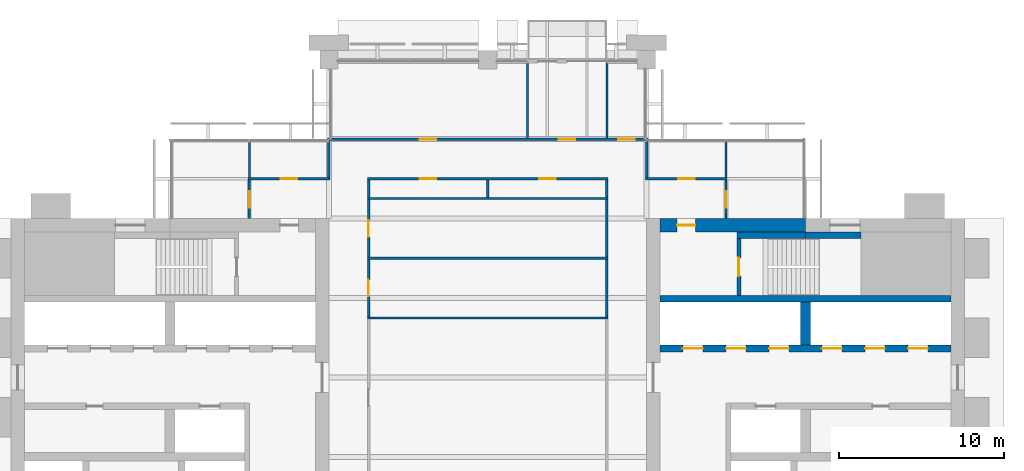
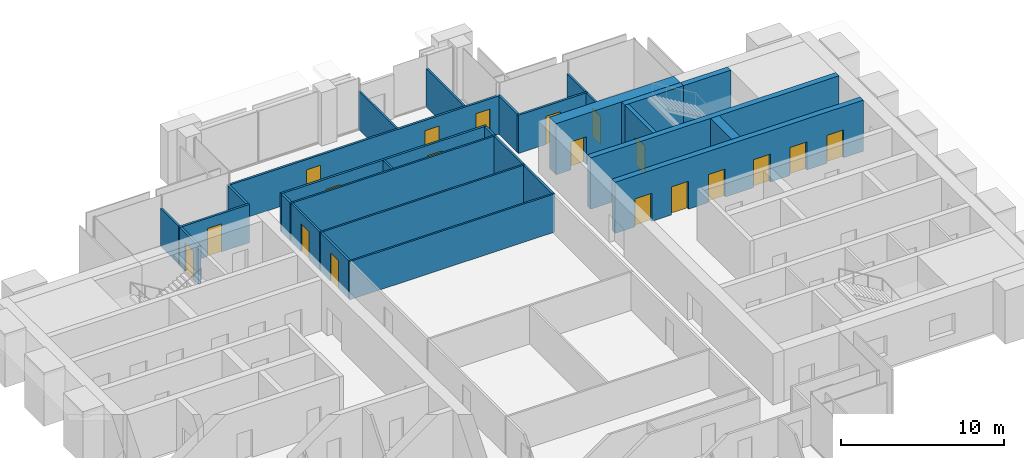
# One storey, part 11 of 14: 29 walls, 19 doors, 19 openings.
"""IFC4 building model written with IfcOpenShell, lengths in metres."""

import ifcopenshell
import ifcopenshell.guid

model = None  # the IFC model being written
_history = None  # IfcOwnerHistory: only IFC2X3 demands one
_inside = {}  # id of a spatial element -> (the spatial element, [elements in it])
_under = {}  # id of a project, library or spatial element -> (it, [spatial elements below it])
_declared = {}  # id of a project -> (the project, [libraries it declares])
_typed = {}  # id of a type object -> (the type object, [elements of that type])
_made_of = {}  # id of a material, layer set ... -> (it, [elements and type objects made of it])


def new_model(schema):
    """Start an empty IFC model of exactly this schema.

    Asked for "IFC4X3", IfcOpenShell would pick the latest addendum, in which some entities
    have other attributes; the version numbers below select the first issue.
    IFC2X3 requires an IfcOwnerHistory on every rooted entity: one is made here for all.
    """
    global model, _history
    if schema == "IFC4X3":
        model = ifcopenshell.file(schema_version=(4, 3, 0, 0))
    else:
        model = ifcopenshell.file(schema=schema)
    _inside.clear()
    _under.clear()
    _declared.clear()
    _typed.clear()
    _made_of.clear()
    _history = None
    if model.schema == "IFC2X3":
        org = make("IfcOrganization", Name="unknown")
        user = make(
            "IfcPersonAndOrganization",
            ThePerson=make("IfcPerson", FamilyName="unknown"),
            TheOrganization=org,
        )
        app = make(
            "IfcApplication",
            ApplicationDeveloper=org,
            Version="unknown",
            ApplicationFullName="unknown",
            ApplicationIdentifier="unknown",
        )
        _history = make(
            "IfcOwnerHistory",
            OwningUser=user,
            OwningApplication=app,
            ChangeAction="ADDED",
            CreationDate=0,
        )
    return model


def make(cls, **values):
    """One entity of the class cls with the attributes given. An attribute that is None is left unset."""
    return model.create_entity(
        cls, **{name: value for name, value in values.items() if value is not None}
    )


def rooted(cls, **values):
    """An entity with a GlobalId (a new one), such as an element, a storey or a relation."""
    return make(cls, GlobalId=ifcopenshell.guid.new(), OwnerHistory=_history, **values)


def si_unit(unit_type, name, prefix=None):
    """IfcSIUnit, for example si_unit("LENGTHUNIT", "METRE", prefix="MILLI")."""
    return make("IfcSIUnit", UnitType=unit_type, Prefix=prefix, Name=name)


def assignment(units):
    """IfcUnitAssignment: the units of a project."""
    return None if units is None else make("IfcUnitAssignment", Units=units)


def point(xyz):
    """IfcCartesianPoint."""
    return None if xyz is None else make("IfcCartesianPoint", Coordinates=xyz)


def direction(xyz):
    """IfcDirection."""
    return None if xyz is None else make("IfcDirection", DirectionRatios=xyz)


def frame(location, z_axis=None, x_axis=None):
    """IfcAxis2Placement3D, a coordinate frame: its origin and axes. An axis left out is left unset."""
    return make(
        "IfcAxis2Placement3D",
        Location=point(location),
        Axis=direction(z_axis),
        RefDirection=direction(x_axis),
    )


def frame_2d(location, x_axis=None):
    """IfcAxis2Placement2D, a coordinate frame in the plane: its origin and x axis."""
    return make(
        "IfcAxis2Placement2D", Location=point(location), RefDirection=direction(x_axis)
    )


def origin():
    """The frame at (0, 0, 0) with its axes left unset."""
    return frame((0.0, 0.0, 0.0))


def place(relative_to, where):
    """IfcLocalPlacement: puts the frame where relative to a parent placement (None: the world)."""
    return make(
        "IfcLocalPlacement", PlacementRelTo=relative_to, RelativePlacement=where
    )


def context(
    kind, dimensions, precision=None, world=None, true_north=None, identifier=None
):
    """IfcGeometricRepresentationContext, for example the 3D "Model" context."""
    return make(
        "IfcGeometricRepresentationContext",
        ContextIdentifier=identifier,
        ContextType=kind,
        CoordinateSpaceDimension=dimensions,
        Precision=precision,
        WorldCoordinateSystem=world,
        TrueNorth=true_north,
    )


def subcontext(parent, identifier, kind, view, scale=None):
    """IfcGeometricRepresentationSubContext, for example "Body" below "Model"."""
    return make(
        "IfcGeometricRepresentationSubContext",
        ContextIdentifier=identifier,
        ContextType=kind,
        ParentContext=parent,
        TargetScale=scale,
        TargetView=view,
    )


def project(units=None, contexts=None):
    """IfcProject with its units and contexts."""
    return rooted(
        "IfcProject",
        Name="project",
        RepresentationContexts=contexts,
        UnitsInContext=assignment(units),
    )


def spatial(cls, under=None, at=None, **own):
    """A site, building, storey or space (cls), placed at a placement, below another one or the project."""
    s = rooted(cls, ObjectPlacement=at, **own)
    if under is not None:
        _under.setdefault(under.id(), (under, []))[1].append(s)
    return s


def profile(cls, at=None, kind="AREA", **sizes):
    """A parametric profile (cls). Its sizes go by their IFC names, for example OverallWidth=200.0."""
    return make(cls, ProfileType=kind, Position=at, **sizes)


def rectangle(**sizes):
    """IfcRectangleProfileDef."""
    return profile("IfcRectangleProfileDef", **sizes)


def extrude(swept, where, along, depth):
    """IfcExtrudedAreaSolid: the profile swept, set in the frame where, extruded along a direction by depth."""
    return make(
        "IfcExtrudedAreaSolid",
        SweptArea=swept,
        Position=where,
        ExtrudedDirection=direction(along),
        Depth=depth,
    )


def shape(context_of_items, identifier, shape_type, items):
    """IfcShapeRepresentation: the items that make up one representation, for example the "Body"."""
    return make(
        "IfcShapeRepresentation",
        ContextOfItems=context_of_items,
        RepresentationIdentifier=identifier,
        RepresentationType=shape_type,
        Items=items,
    )


def material(Name=None, Category=None):
    """IfcMaterial."""
    return make("IfcMaterial", Name=Name, Category=Category)


def layer(
    of_material, thickness, ventilated=None, Name=None, Category=None, Priority=None
):
    """IfcMaterialLayer: one layer of a wall or slab, of a material (None: an air gap)."""
    return make(
        "IfcMaterialLayer",
        Material=of_material,
        LayerThickness=thickness,
        IsVentilated=ventilated,
        Name=Name,
        Category=Category,
        Priority=Priority,
    )


def layer_set(layers, Name=None):
    """IfcMaterialLayerSet."""
    return make("IfcMaterialLayerSet", MaterialLayers=layers, LayerSetName=Name)


def made_of(thing, what):
    """Note that an element or type object is made of a material, layer set ...; save() writes the relation."""
    if what is not None:
        _made_of.setdefault(what.id(), (what, []))[1].append(thing)
    return thing


def type_object(cls, material=None, **own):
    """A type object (cls), such as IfcWallType, which elements share."""
    return made_of(rooted(cls, **own), material)


def element(
    cls,
    number,
    at=None,
    inside=None,
    cuts=None,
    type_object=None,
    material=None,
    context=None,
    identifier="Body",
    shape_type=None,
    held_by="IfcProductDefinitionShape",
    body=None,
    shapes=None,
    **own,
):
    """One element of the class cls, such as IfcWall. Its Tag is "e" and its number.

    at: its placement. inside: the storey or other place that contains it. cuts: it is an
    opening in that element (IfcRelVoidsElement). A single representation is given by context,
    identifier, shape_type and body (its items); several are given by shapes. held_by: the class
    of the entity that holds the representations. save() writes the other relations.
    """
    e = rooted(cls, Tag="e%d" % number, ObjectPlacement=at, **own)
    if body is not None:
        shapes = [shape(context, identifier, shape_type, body)]
    if shapes is not None:
        e.Representation = make(held_by, Representations=shapes)
    if inside is not None:
        _inside.setdefault(inside.id(), (inside, []))[1].append(e)
    if cuts is not None:
        rooted(
            "IfcRelVoidsElement", RelatingBuildingElement=cuts, RelatedOpeningElement=e
        )
    if type_object is not None:
        _typed.setdefault(type_object.id(), (type_object, []))[1].append(e)
    return made_of(e, material)


def fill(opening, filler):
    """IfcRelFillsElement: the door or window that sits in an opening."""
    return rooted(
        "IfcRelFillsElement",
        RelatingOpeningElement=opening,
        RelatedBuildingElement=filler,
    )


def aggregate(whole, parts):
    """IfcRelAggregates: a whole, such as a stair, and the parts it consists of."""
    return rooted("IfcRelAggregates", RelatingObject=whole, RelatedObjects=parts)


def save(model, path):
    """Write the relations noted so far, then the file.

    IfcRelAggregates (storeys below a building ...), IfcRelContainedInSpatialStructure (elements
    in a storey), IfcRelDefinesByType, IfcRelAssociatesMaterial and IfcRelDeclares: one each for
    every whole, place, type object, material and project.
    """
    for whole, parts in _under.values():
        aggregate(whole, parts)
    for where, things in _inside.values():
        rooted(
            "IfcRelContainedInSpatialStructure",
            RelatedElements=things,
            RelatingStructure=where,
        )
    for kind, things in _typed.values():
        rooted("IfcRelDefinesByType", RelatedObjects=things, RelatingType=kind)
    for what, things in _made_of.values():
        rooted("IfcRelAssociatesMaterial", RelatedObjects=things, RelatingMaterial=what)
    for by, libraries in _declared.values():
        rooted("IfcRelDeclares", RelatingContext=by, RelatedDefinitions=libraries)
    model.write(path)


model = new_model("IFC4")

# Units and contexts
model_context = context("Model", 3, precision=1e-05, world=origin(), true_north=direction((0.0, 1.0)))
body_context = subcontext(model_context, "Body", "Model", "MODEL_VIEW")
ifc_project = project(units=[si_unit("LENGTHUNIT", "METRE"), si_unit("AREAUNIT", "SQUARE_METRE"), si_unit("VOLUMEUNIT", "CUBIC_METRE"), si_unit("PLANEANGLEUNIT", "RADIAN"), si_unit("MASSUNIT", "GRAM", prefix="KILO")], contexts=[model_context])

# Site, building, storey
site_placement = place(None, origin())
site = spatial("IfcSite", under=ifc_project, at=site_placement, CompositionType="ELEMENT")
building_placement = place(site_placement, origin())
building = spatial("IfcBuilding", under=site, at=building_placement, Name="Baori Bourse Tower", CompositionType="ELEMENT")
storey_placement = place(building_placement, frame((0.0, 0.0, 245.199951171875)))
storey = spatial("IfcBuildingStorey", under=building, at=storey_placement, Name="L54", CompositionType="ELEMENT", Elevation=245.199951171875)

# Wall, opening, door
ifc_material_1 = material(Name="Concrete f'c 50 MPa", Category="concrete")
ifc_layer_1 = layer(ifc_material_1, 0.800048828125)
ifc_layer_set_1 = layer_set([ifc_layer_1], Name="Core wall 800 f'c 50")
wall_type_1 = type_object("IfcWallType", Name="Core wall 800 f'c 50", PredefinedType="SHEAR", material=ifc_layer_set_1)
wall_1_placement = place(storey_placement, frame((39.199951171875, 38.0, 0.0), z_axis=(0.0, 0.0, 1.0), x_axis=(1.0, 0.0, 0.0)))
wall_1 = element("IfcWall", 1, at=wall_1_placement, inside=storey, type_object=wall_type_1, Name="Core wall E29", PredefinedType="SHEAR", context=body_context, shape_type="SweptSolid", body=[
    extrude(rectangle(XDim=8.800048828125, YDim=0.800048828125, at=frame_2d((4.39990234375, 0.0))), origin(), (0.0, 0.0, 1.0), 3.840087890625),
])
opening_1_placement = place(wall_1_placement, frame((1.050048828125, 0.0, 0.0)))
opening_1 = element("IfcOpeningElement", 2, at=opening_1_placement, cuts=wall_1, Name="Opening L54-D204", PredefinedType="OPENING", context=body_context, shape_type="SweptSolid", body=[
    extrude(rectangle(XDim=1.10009765625, YDim=2.10009765625, at=frame_2d((0.550048828125, 1.050048828125))), frame((0.0, 0.409912109375, 0.0), z_axis=(0.0, -1.0, 0.0), x_axis=(1.0, 0.0, 0.0)), (0.0, 0.0, 1.0), 0.820068359375),
])
ifc_material_2 = material(Name="Painted steel door", Category="steel")
door_type_1 = type_object("IfcDoorType", Name="Stair door 1100", OperationType="SINGLE_SWING_LEFT", PredefinedType="DOOR", material=ifc_material_2)
door_1_placement = place(opening_1_placement, origin())
door_1 = element("IfcDoor", 3, at=door_1_placement, inside=storey, type_object=door_type_1, Name="Stair vestibule door B E L54", OperationType="SINGLE_SWING_LEFT", OverallHeight=2.10009765625, OverallWidth=1.10009765625, PredefinedType="DOOR", context=body_context, shape_type="SweptSolid", body=[
    extrude(rectangle(XDim=1.10009765625, YDim=2.10009765625, at=frame_2d((0.550048828125, 1.050048828125))), frame((0.0, 0.02490234375, 0.0), z_axis=(0.0, -1.0, 0.0), x_axis=(1.0, 0.0, 0.0)), (0.0, 0.0, 1.0), 0.050048828125),
])
fill(opening_1, door_1)

ifc_material_3 = material(Name="Gypsum board partition")
ifc_layer_2 = layer(ifc_material_3, 0.14990234375)
ifc_layer_set_2 = layer_set([ifc_layer_2], Name="Corridor partition 150")
wall_type_2 = type_object("IfcWallType", Name="Corridor partition 150", PredefinedType="PARTITIONING", material=ifc_layer_set_2)
wall_2_placement = place(storey_placement, frame((14.324951171875, 40.800048828125, 0.0), z_axis=(0.0, 0.0, 1.0), x_axis=(1.0, 0.0, 0.0)))
wall_2 = element("IfcWall", 4, at=wall_2_placement, inside=storey, type_object=wall_type_2, Name="Partition", PredefinedType="PARTITIONING", context=body_context, shape_type="SweptSolid", body=[
    extrude(rectangle(XDim=4.949951171875, YDim=0.14990234375, at=frame_2d((2.47509765625, 0.0))), origin(), (0.0, 0.0, 1.0), 2.869873046875),
])
opening_2_placement = place(wall_2_placement, frame((1.97509765625, 0.0, 0.0)))
opening_2 = element("IfcOpeningElement", 5, at=opening_2_placement, cuts=wall_2, Name="Opening L54-D09", PredefinedType="OPENING", context=body_context, shape_type="SweptSolid", body=[
    extrude(rectangle(XDim=1.0, YDim=2.10009765625, at=frame_2d((0.5, 1.050048828125))), frame((0.0, 0.0849609375, 0.0), z_axis=(0.0, -1.0, 0.0), x_axis=(1.0, 0.0, 0.0)), (0.0, 0.0, 1.0), 0.169921875),
])
ifc_material_4 = material(Name="Timber door leaf", Category="wood")
door_type_2 = type_object("IfcDoorType", Name="Door 1000 x 2100", OperationType="SINGLE_SWING_LEFT", PredefinedType="DOOR", material=ifc_material_4)
door_2_placement = place(opening_2_placement, origin())
door_2 = element("IfcDoor", 6, at=door_2_placement, inside=storey, type_object=door_type_2, Name="Door", OperationType="SINGLE_SWING_LEFT", OverallHeight=2.10009765625, OverallWidth=1.0, PredefinedType="DOOR", context=body_context, shape_type="SweptSolid", body=[
    extrude(rectangle(XDim=1.0, YDim=2.10009765625, at=frame_2d((0.5, 1.050048828125))), frame((0.0, 0.02490234375, 0.0), z_axis=(0.0, -1.0, 0.0), x_axis=(1.0, 0.0, 0.0)), (0.0, 0.0, 1.0), 0.050048828125),
])
fill(opening_2, door_2)

# Wall, openings, doors
wall_3_placement = place(storey_placement, frame((21.52490234375, 40.800048828125, 0.0), z_axis=(0.0, 0.0, 1.0), x_axis=(1.0, 0.0, 0.0)))
wall_3 = element("IfcWall", 7, at=wall_3_placement, inside=storey, type_object=wall_type_2, Name="Partition", PredefinedType="PARTITIONING", context=body_context, shape_type="SweptSolid", body=[
    extrude(rectangle(XDim=14.550048828125, YDim=0.14990234375, at=frame_2d((7.27490234375, 0.0))), origin(), (0.0, 0.0, 1.0), 2.869873046875),
])
opening_3_placement = place(wall_3_placement, frame((3.175048828125, 0.0, 0.0)))
opening_3 = element("IfcOpeningElement", 8, at=opening_3_placement, cuts=wall_3, Name="Opening L54-D10", PredefinedType="OPENING", context=body_context, shape_type="SweptSolid", body=[
    extrude(rectangle(XDim=1.0, YDim=2.10009765625, at=frame_2d((0.5, 1.050048828125))), frame((0.0, 0.0849609375, 0.0), z_axis=(0.0, -1.0, 0.0), x_axis=(1.0, 0.0, 0.0)), (0.0, 0.0, 1.0), 0.169921875),
])
opening_4_placement = place(wall_3_placement, frame((10.375, 0.0, 0.0)))
opening_4 = element("IfcOpeningElement", 9, at=opening_4_placement, cuts=wall_3, Name="Opening L54-D11", PredefinedType="OPENING", context=body_context, shape_type="SweptSolid", body=[
    extrude(rectangle(XDim=1.0, YDim=2.10009765625, at=frame_2d((0.5, 1.050048828125))), frame((0.0, 0.0849609375, 0.0), z_axis=(0.0, -1.0, 0.0), x_axis=(1.0, 0.0, 0.0)), (0.0, 0.0, 1.0), 0.169921875),
])
door_3_placement = place(opening_3_placement, origin())
door_3 = element("IfcDoor", 10, at=door_3_placement, inside=storey, type_object=door_type_2, Name="Door", OperationType="SINGLE_SWING_LEFT", OverallHeight=2.10009765625, OverallWidth=1.0, PredefinedType="DOOR", context=body_context, shape_type="SweptSolid", body=[
    extrude(rectangle(XDim=1.0, YDim=2.10009765625, at=frame_2d((0.5, 1.050048828125))), frame((0.0, 0.02490234375, 0.0), z_axis=(0.0, -1.0, 0.0), x_axis=(1.0, 0.0, 0.0)), (0.0, 0.0, 1.0), 0.050048828125),
])
fill(opening_3, door_3)
door_4_placement = place(opening_4_placement, origin())
door_4 = element("IfcDoor", 11, at=door_4_placement, inside=storey, type_object=door_type_2, Name="Door", OperationType="SINGLE_SWING_RIGHT", OverallHeight=2.10009765625, OverallWidth=1.0, PredefinedType="DOOR", context=body_context, shape_type="SweptSolid", body=[
    extrude(rectangle(XDim=1.0, YDim=2.10009765625, at=frame_2d((0.5, 1.050048828125))), frame((0.0, 0.02490234375, 0.0), z_axis=(0.0, -1.0, 0.0), x_axis=(1.0, 0.0, 0.0)), (0.0, 0.0, 1.0), 0.050048828125),
])
fill(opening_4, door_4)

# Wall, opening, door
wall_4_placement = place(storey_placement, frame((38.324951171875, 40.800048828125, 0.0), z_axis=(0.0, 0.0, 1.0), x_axis=(1.0, 0.0, 0.0)))
wall_4 = element("IfcWall", 12, at=wall_4_placement, inside=storey, type_object=wall_type_2, Name="Partition", PredefinedType="PARTITIONING", context=body_context, shape_type="SweptSolid", body=[
    extrude(rectangle(XDim=4.949951171875, YDim=0.14990234375, at=frame_2d((2.47509765625, 0.0))), origin(), (0.0, 0.0, 1.0), 2.869873046875),
])
opening_5_placement = place(wall_4_placement, frame((1.97509765625, 0.0, 0.0)))
opening_5 = element("IfcOpeningElement", 13, at=opening_5_placement, cuts=wall_4, Name="Opening L54-D12", PredefinedType="OPENING", context=body_context, shape_type="SweptSolid", body=[
    extrude(rectangle(XDim=1.0, YDim=2.10009765625, at=frame_2d((0.5, 1.050048828125))), frame((0.0, 0.0849609375, 0.0), z_axis=(0.0, -1.0, 0.0), x_axis=(1.0, 0.0, 0.0)), (0.0, 0.0, 1.0), 0.169921875),
])
door_5_placement = place(opening_5_placement, origin())
door_5 = element("IfcDoor", 14, at=door_5_placement, inside=storey, type_object=door_type_2, Name="Door", OperationType="SINGLE_SWING_RIGHT", OverallHeight=2.10009765625, OverallWidth=1.0, PredefinedType="DOOR", context=body_context, shape_type="SweptSolid", body=[
    extrude(rectangle(XDim=1.0, YDim=2.10009765625, at=frame_2d((0.5, 1.050048828125))), frame((0.0, 0.02490234375, 0.0), z_axis=(0.0, -1.0, 0.0), x_axis=(1.0, 0.0, 0.0)), (0.0, 0.0, 1.0), 0.050048828125),
])
fill(opening_5, door_5)

# Wall, openings, doors
wall_5_placement = place(storey_placement, frame((19.125, 43.199951171875, 0.0), z_axis=(0.0, 0.0, 1.0), x_axis=(1.0, 0.0, 0.0)))
wall_5 = element("IfcWall", 15, at=wall_5_placement, inside=storey, type_object=wall_type_2, Name="Partition", PredefinedType="PARTITIONING", context=body_context, shape_type="SweptSolid", body=[
    extrude(rectangle(XDim=19.35009765625, YDim=0.14990234375, at=frame_2d((9.675048828125, 0.0))), origin(), (0.0, 0.0, 1.0), 2.869873046875),
])
opening_6_placement = place(wall_5_placement, frame((5.574951171875, 0.0, 0.0)))
opening_6 = element("IfcOpeningElement", 16, at=opening_6_placement, cuts=wall_5, Name="Opening L54-D13", PredefinedType="OPENING", context=body_context, shape_type="SweptSolid", body=[
    extrude(rectangle(XDim=1.0, YDim=2.10009765625, at=frame_2d((0.5, 1.050048828125))), frame((0.0, 0.0849609375, 0.0), z_axis=(0.0, -1.0, 0.0), x_axis=(1.0, 0.0, 0.0)), (0.0, 0.0, 1.0), 0.169921875),
])
opening_7_placement = place(wall_5_placement, frame((13.97509765625, 0.0, 0.0)))
opening_7 = element("IfcOpeningElement", 17, at=opening_7_placement, cuts=wall_5, Name="Opening L54-D14", PredefinedType="OPENING", context=body_context, shape_type="SweptSolid", body=[
    extrude(rectangle(XDim=1.0, YDim=2.10009765625, at=frame_2d((0.5, 1.050048828125))), frame((0.0, 0.0849609375, 0.0), z_axis=(0.0, -1.0, 0.0), x_axis=(1.0, 0.0, 0.0)), (0.0, 0.0, 1.0), 0.169921875),
])
opening_8_placement = place(wall_5_placement, frame((17.574951171875, 0.0, 0.0)))
opening_8 = element("IfcOpeningElement", 18, at=opening_8_placement, cuts=wall_5, Name="Opening L54-D15", PredefinedType="OPENING", context=body_context, shape_type="SweptSolid", body=[
    extrude(rectangle(XDim=1.0, YDim=2.10009765625, at=frame_2d((0.5, 1.050048828125))), frame((0.0, 0.0849609375, 0.0), z_axis=(0.0, -1.0, 0.0), x_axis=(1.0, 0.0, 0.0)), (0.0, 0.0, 1.0), 0.169921875),
])
door_6_placement = place(opening_6_placement, origin())
door_6 = element("IfcDoor", 19, at=door_6_placement, inside=storey, type_object=door_type_2, Name="Door", OperationType="SINGLE_SWING_RIGHT", OverallHeight=2.10009765625, OverallWidth=1.0, PredefinedType="DOOR", context=body_context, shape_type="SweptSolid", body=[
    extrude(rectangle(XDim=1.0, YDim=2.10009765625, at=frame_2d((0.5, 1.050048828125))), frame((0.0, 0.02490234375, 0.0), z_axis=(0.0, -1.0, 0.0), x_axis=(1.0, 0.0, 0.0)), (0.0, 0.0, 1.0), 0.050048828125),
])
fill(opening_6, door_6)
door_7_placement = place(opening_7_placement, origin())
door_7 = element("IfcDoor", 20, at=door_7_placement, inside=storey, type_object=door_type_2, Name="Door", OperationType="SINGLE_SWING_LEFT", OverallHeight=2.10009765625, OverallWidth=1.0, PredefinedType="DOOR", context=body_context, shape_type="SweptSolid", body=[
    extrude(rectangle(XDim=1.0, YDim=2.10009765625, at=frame_2d((0.5, 1.050048828125))), frame((0.0, 0.02490234375, 0.0), z_axis=(0.0, -1.0, 0.0), x_axis=(1.0, 0.0, 0.0)), (0.0, 0.0, 1.0), 0.050048828125),
])
fill(opening_7, door_7)
door_8_placement = place(opening_8_placement, origin())
door_8 = element("IfcDoor", 21, at=door_8_placement, inside=storey, type_object=door_type_2, Name="Door", OperationType="SINGLE_SWING_LEFT", OverallHeight=2.10009765625, OverallWidth=1.0, PredefinedType="DOOR", context=body_context, shape_type="SweptSolid", body=[
    extrude(rectangle(XDim=1.0, YDim=2.10009765625, at=frame_2d((0.5, 1.050048828125))), frame((0.0, 0.02490234375, 0.0), z_axis=(0.0, -1.0, 0.0), x_axis=(1.0, 0.0, 0.0)), (0.0, 0.0, 1.0), 0.050048828125),
])
fill(opening_8, door_8)

# Wall, opening, door
wall_6_placement = place(storey_placement, frame((14.39990234375, 38.39990234375, 0.0), z_axis=(0.0, 0.0, 1.0), x_axis=(0.0, 1.0, 0.0)))
wall_6 = element("IfcWall", 22, at=wall_6_placement, inside=storey, type_object=wall_type_2, Name="Partition", PredefinedType="PARTITIONING", context=body_context, shape_type="SweptSolid", body=[
    extrude(rectangle(XDim=2.3251953125, YDim=0.14990234375, at=frame_2d((1.16259765625, 0.0))), origin(), (0.0, 0.0, 1.0), 2.869873046875),
])
opening_9_placement = place(wall_6_placement, frame((0.66259765625, 0.0, 0.0)))
opening_9 = element("IfcOpeningElement", 23, at=opening_9_placement, cuts=wall_6, Name="Opening L54-D16", PredefinedType="OPENING", context=body_context, shape_type="SweptSolid", body=[
    extrude(rectangle(XDim=1.0, YDim=2.10009765625, at=frame_2d((0.5, 1.050048828125))), frame((0.0, 0.0849609375, 0.0), z_axis=(0.0, -1.0, 0.0), x_axis=(1.0, 0.0, 0.0)), (0.0, 0.0, 1.0), 0.169921875),
])
door_9_placement = place(opening_9_placement, origin())
door_9 = element("IfcDoor", 24, at=door_9_placement, inside=storey, type_object=door_type_2, Name="Door", OperationType="SINGLE_SWING_RIGHT", OverallHeight=2.10009765625, OverallWidth=1.0, PredefinedType="DOOR", context=body_context, shape_type="SweptSolid", body=[
    extrude(rectangle(XDim=1.0, YDim=2.10009765625, at=frame_2d((0.5, 1.050048828125))), frame((0.0, 0.02490234375, 0.0), z_axis=(0.0, -1.0, 0.0), x_axis=(1.0, 0.0, 0.0)), (0.0, 0.0, 1.0), 0.050048828125),
])
fill(opening_9, door_9)

# Wall
wall_7_placement = place(storey_placement, frame((19.199951171875, 40.875, 0.0), z_axis=(0.0, 0.0, 1.0), x_axis=(0.0, 1.0, 0.0)))
element("IfcWall", 25, at=wall_7_placement, inside=storey, type_object=wall_type_2, Name="Partition", PredefinedType="PARTITIONING", context=body_context, shape_type="SweptSolid", body=[
    extrude(rectangle(XDim=2.25, YDim=0.14990234375, at=frame_2d((1.125, 0.0))), origin(), (0.0, 0.0, 1.0), 2.869873046875),
])

# Wall, opening, door
wall_8_placement = place(storey_placement, frame((21.60009765625, 32.46240234375, 0.0), z_axis=(0.0, 0.0, 1.0), x_axis=(0.0, 1.0, 0.0)))
wall_8 = element("IfcWall", 26, at=wall_8_placement, inside=storey, type_object=wall_type_2, Name="Partition", PredefinedType="PARTITIONING", context=body_context, shape_type="SweptSolid", body=[
    extrude(rectangle(XDim=3.47509765625, YDim=0.14990234375, at=frame_2d((1.737548828125, 0.0))), origin(), (0.0, 0.0, 1.0), 2.869873046875),
])
opening_10_placement = place(wall_8_placement, frame((1.237548828125, 0.0, 0.0)))
opening_10 = element("IfcOpeningElement", 27, at=opening_10_placement, cuts=wall_8, Name="Opening L54-D20", PredefinedType="OPENING", context=body_context, shape_type="SweptSolid", body=[
    extrude(rectangle(XDim=1.0, YDim=2.10009765625, at=frame_2d((0.5, 1.050048828125))), frame((0.0, 0.0849609375, 0.0), z_axis=(0.0, -1.0, 0.0), x_axis=(1.0, 0.0, 0.0)), (0.0, 0.0, 1.0), 0.169921875),
])
door_10_placement = place(opening_10_placement, origin())
door_10 = element("IfcDoor", 28, at=door_10_placement, inside=storey, type_object=door_type_2, Name="Door", OperationType="SINGLE_SWING_RIGHT", OverallHeight=2.10009765625, OverallWidth=1.0, PredefinedType="DOOR", context=body_context, shape_type="SweptSolid", body=[
    extrude(rectangle(XDim=1.0, YDim=2.10009765625, at=frame_2d((0.5, 1.050048828125))), frame((0.0, 0.02490234375, 0.0), z_axis=(0.0, -1.0, 0.0), x_axis=(1.0, 0.0, 0.0)), (0.0, 0.0, 1.0), 0.050048828125),
])
fill(opening_10, door_10)

wall_9_placement = place(storey_placement, frame((21.60009765625, 36.0625, 0.0), z_axis=(0.0, 0.0, 1.0), x_axis=(0.0, 1.0, 0.0)))
wall_9 = element("IfcWall", 29, at=wall_9_placement, inside=storey, type_object=wall_type_2, Name="Partition", PredefinedType="PARTITIONING", context=body_context, shape_type="SweptSolid", body=[
    extrude(rectangle(XDim=3.47509765625, YDim=0.14990234375, at=frame_2d((1.737548828125, 0.0))), origin(), (0.0, 0.0, 1.0), 2.869873046875),
])
opening_11_placement = place(wall_9_placement, frame((1.237548828125, 0.0, 0.0)))
opening_11 = element("IfcOpeningElement", 30, at=opening_11_placement, cuts=wall_9, Name="Opening L54-D21", PredefinedType="OPENING", context=body_context, shape_type="SweptSolid", body=[
    extrude(rectangle(XDim=1.0, YDim=2.10009765625, at=frame_2d((0.5, 1.050048828125))), frame((0.0, 0.0849609375, 0.0), z_axis=(0.0, -1.0, 0.0), x_axis=(1.0, 0.0, 0.0)), (0.0, 0.0, 1.0), 0.169921875),
])
door_11_placement = place(opening_11_placement, origin())
door_11 = element("IfcDoor", 31, at=door_11_placement, inside=storey, type_object=door_type_2, Name="Door", OperationType="SINGLE_SWING_LEFT", OverallHeight=2.10009765625, OverallWidth=1.0, PredefinedType="DOOR", context=body_context, shape_type="SweptSolid", body=[
    extrude(rectangle(XDim=1.0, YDim=2.10009765625, at=frame_2d((0.5, 1.050048828125))), frame((0.0, 0.02490234375, 0.0), z_axis=(0.0, -1.0, 0.0), x_axis=(1.0, 0.0, 0.0)), (0.0, 0.0, 1.0), 0.050048828125),
])
fill(opening_11, door_11)

# Walls
wall_10_placement = place(storey_placement, frame((21.60009765625, 39.66259765625, 0.0), z_axis=(0.0, 0.0, 1.0), x_axis=(0.0, 1.0, 0.0)))
element("IfcWall", 32, at=wall_10_placement, inside=storey, type_object=wall_type_2, Name="Partition", PredefinedType="PARTITIONING", context=body_context, shape_type="SweptSolid", body=[
    extrude(rectangle(XDim=1.0625, YDim=0.14990234375, at=frame_2d((0.53125, 0.0))), origin(), (0.0, 0.0, 1.0), 2.869873046875),
])
for number, where, z_axis, x_axis, name in (
    (33, (36.0, 32.46240234375, 0.0), (0.0, 0.0, 1.0), (0.0, 1.0, 0.0), "Partition"),
    (34, (36.0, 36.0625, 0.0), (0.0, 0.0, 1.0), (0.0, 1.0, 0.0), "Partition"),
):
    element("IfcWall", number, at=place(storey_placement, frame(where, z_axis=z_axis, x_axis=x_axis)), inside=storey, type_object=wall_type_2, Name=name, PredefinedType="PARTITIONING", context=body_context, shape_type="SweptSolid", body=[
        extrude(rectangle(XDim=3.47509765625, YDim=0.14990234375, at=frame_2d((1.737548828125, 0.0))), origin(), (0.0, 0.0, 1.0), 2.869873046875),
    ])
wall_11_placement = place(storey_placement, frame((36.0, 39.66259765625, 0.0), z_axis=(0.0, 0.0, 1.0), x_axis=(0.0, 1.0, 0.0)))
element("IfcWall", 35, at=wall_11_placement, inside=storey, type_object=wall_type_2, Name="Partition", PredefinedType="PARTITIONING", context=body_context, shape_type="SweptSolid", body=[
    extrude(rectangle(XDim=1.0625, YDim=0.14990234375, at=frame_2d((0.53125, 0.0))), origin(), (0.0, 0.0, 1.0), 2.869873046875),
])
wall_12_placement = place(storey_placement, frame((38.39990234375, 40.875, 0.0), z_axis=(0.0, 0.0, 1.0), x_axis=(0.0, 1.0, 0.0)))
element("IfcWall", 36, at=wall_12_placement, inside=storey, type_object=wall_type_2, Name="Partition", PredefinedType="PARTITIONING", context=body_context, shape_type="SweptSolid", body=[
    extrude(rectangle(XDim=2.25, YDim=0.14990234375, at=frame_2d((1.125, 0.0))), origin(), (0.0, 0.0, 1.0), 2.869873046875),
])

# Wall, opening, door
wall_13_placement = place(storey_placement, frame((43.199951171875, 38.39990234375, 0.0), z_axis=(0.0, 0.0, 1.0), x_axis=(0.0, 1.0, 0.0)))
wall_13 = element("IfcWall", 37, at=wall_13_placement, inside=storey, type_object=wall_type_2, Name="Partition", PredefinedType="PARTITIONING", context=body_context, shape_type="SweptSolid", body=[
    extrude(rectangle(XDim=2.3251953125, YDim=0.14990234375, at=frame_2d((1.16259765625, 0.0))), origin(), (0.0, 0.0, 1.0), 2.869873046875),
])
opening_12_placement = place(wall_13_placement, frame((0.66259765625, 0.0, 0.0)))
opening_12 = element("IfcOpeningElement", 38, at=opening_12_placement, cuts=wall_13, Name="Opening L54-D23", PredefinedType="OPENING", context=body_context, shape_type="SweptSolid", body=[
    extrude(rectangle(XDim=1.0, YDim=2.10009765625, at=frame_2d((0.5, 1.050048828125))), frame((0.0, 0.0849609375, 0.0), z_axis=(0.0, -1.0, 0.0), x_axis=(1.0, 0.0, 0.0)), (0.0, 0.0, 1.0), 0.169921875),
])
door_12_placement = place(opening_12_placement, origin())
door_12 = element("IfcDoor", 39, at=door_12_placement, inside=storey, type_object=door_type_2, Name="Door", OperationType="SINGLE_SWING_LEFT", OverallHeight=2.10009765625, OverallWidth=1.0, PredefinedType="DOOR", context=body_context, shape_type="SweptSolid", body=[
    extrude(rectangle(XDim=1.0, YDim=2.10009765625, at=frame_2d((0.5, 1.050048828125))), frame((0.0, 0.02490234375, 0.0), z_axis=(0.0, -1.0, 0.0), x_axis=(1.0, 0.0, 0.0)), (0.0, 0.0, 1.0), 0.050048828125),
])
fill(opening_12, door_12)

# Walls
ifc_material_5 = material(Name="Gypsum board partition")
ifc_layer_3 = layer(ifc_material_5, 0.125)
ifc_layer_set_3 = layer_set([ifc_layer_3], Name="Partition 125")
wall_type_3 = type_object("IfcWallType", Name="Partition 125", PredefinedType="PARTITIONING", material=ifc_layer_set_3)
for number, where, z_axis, x_axis, name in (
    (40, (21.52490234375, 32.39990234375, 0.0), (0.0, 0.0, 1.0), (1.0, 0.0, 0.0), "Partition"),
    (41, (21.52490234375, 36.0, 0.0), (0.0, 0.0, 1.0), (1.0, 0.0, 0.0), "Partition"),
    (42, (21.52490234375, 39.60009765625, 0.0), (0.0, 0.0, 1.0), (1.0, 0.0, 0.0), "Partition"),
):
    element("IfcWall", number, at=place(storey_placement, frame(where, z_axis=z_axis, x_axis=x_axis)), inside=storey, type_object=wall_type_3, Name=name, PredefinedType="PARTITIONING", context=body_context, shape_type="SweptSolid", body=[
        extrude(rectangle(XDim=14.550048828125, YDim=0.125, at=frame_2d((7.27490234375, 0.0))), origin(), (0.0, 0.0, 1.0), 2.869873046875),
    ])
wall_14_placement = place(storey_placement, frame((14.39990234375, 40.875, 0.0), z_axis=(0.0, 0.0, 1.0), x_axis=(0.0, 1.0, 0.0)))
element("IfcWall", 43, at=wall_14_placement, inside=storey, type_object=wall_type_3, Name="Partition", PredefinedType="PARTITIONING", context=body_context, shape_type="SweptSolid", body=[
    extrude(rectangle(XDim=2.22509765625, YDim=0.125, at=frame_2d((1.112548828125, 0.0))), origin(), (0.0, 0.0, 1.0), 2.869873046875),
])
wall_15_placement = place(storey_placement, frame((28.800048828125, 39.66259765625, 0.0), z_axis=(0.0, 0.0, 1.0), x_axis=(0.0, 1.0, 0.0)))
element("IfcWall", 44, at=wall_15_placement, inside=storey, type_object=wall_type_3, Name="Partition", PredefinedType="PARTITIONING", context=body_context, shape_type="SweptSolid", body=[
    extrude(rectangle(XDim=1.0625, YDim=0.125, at=frame_2d((0.53125, 0.0))), origin(), (0.0, 0.0, 1.0), 2.869873046875),
])
for number, where, z_axis, x_axis, name in (
    (45, (31.199951171875, 43.27490234375, 0.0), (0.0, 0.0, 1.0), (0.0, 1.0, 0.0), "Partition"),
    (46, (36.0, 43.27490234375, 0.0), (0.0, 0.0, 1.0), (0.0, 1.0, 0.0), "Partition"),
):
    element("IfcWall", number, at=place(storey_placement, frame(where, z_axis=z_axis, x_axis=x_axis)), inside=storey, type_object=wall_type_3, Name=name, PredefinedType="PARTITIONING", context=body_context, shape_type="SweptSolid", body=[
        extrude(rectangle(XDim=4.625, YDim=0.125, at=frame_2d((2.3125, 0.0))), origin(), (0.0, 0.0, 1.0), 2.869873046875),
    ])
wall_16_placement = place(storey_placement, frame((43.199951171875, 40.875, 0.0), z_axis=(0.0, 0.0, 1.0), x_axis=(0.0, 1.0, 0.0)))
element("IfcWall", 47, at=wall_16_placement, inside=storey, type_object=wall_type_3, Name="Partition", PredefinedType="PARTITIONING", context=body_context, shape_type="SweptSolid", body=[
    extrude(rectangle(XDim=2.22509765625, YDim=0.125, at=frame_2d((1.112548828125, 0.0))), origin(), (0.0, 0.0, 1.0), 2.869873046875),
])

# Wall, opening, door
ifc_material_6 = material(Name="Concrete f'c 50 MPa", Category="concrete")
ifc_layer_4 = layer(ifc_material_6, 0.25)
ifc_layer_set_4 = layer_set([ifc_layer_4], Name="Shaft wall 250 f'c 50")
wall_type_4 = type_object("IfcWallType", Name="Shaft wall 250 f'c 50", PredefinedType="SHEAR", material=ifc_layer_set_4)
wall_17_placement = place(storey_placement, frame((43.97509765625, 33.75, 0.0), z_axis=(0.0, 0.0, 1.0), x_axis=(0.0, 1.0, 0.0)))
wall_17 = element("IfcWall", 48, at=wall_17_placement, inside=storey, type_object=wall_type_4, Name="Core wall E25", PredefinedType="SHEAR", context=body_context, shape_type="SweptSolid", body=[
    extrude(rectangle(XDim=3.449951171875, YDim=0.25, at=frame_2d((1.72509765625, 0.0))), origin(), (0.0, 0.0, 1.0), 3.840087890625),
])
opening_13_placement = place(wall_17_placement, frame((1.175048828125, 0.0, 0.0)))
opening_13 = element("IfcOpeningElement", 49, at=opening_13_placement, cuts=wall_17, Name="Opening L54-D203", PredefinedType="OPENING", context=body_context, shape_type="SweptSolid", body=[
    extrude(rectangle(XDim=1.10009765625, YDim=2.10009765625, at=frame_2d((0.550048828125, 1.050048828125))), frame((0.0, 0.135009765625, 0.0), z_axis=(0.0, -1.0, 0.0), x_axis=(1.0, 0.0, 0.0)), (0.0, 0.0, 1.0), 0.27001953125),
])
door_13_placement = place(opening_13_placement, origin())
door_13 = element("IfcDoor", 50, at=door_13_placement, inside=storey, type_object=door_type_1, Name="Stair door B E L54", OperationType="SINGLE_SWING_LEFT", OverallHeight=2.10009765625, OverallWidth=1.10009765625, PredefinedType="DOOR", context=body_context, shape_type="SweptSolid", body=[
    extrude(rectangle(XDim=1.10009765625, YDim=2.10009765625, at=frame_2d((0.550048828125, 1.050048828125))), frame((0.0, 0.02490234375, 0.0), z_axis=(0.0, -1.0, 0.0), x_axis=(1.0, 0.0, 0.0)), (0.0, 0.0, 1.0), 0.050048828125),
])
fill(opening_13, door_13)

# Wall, openings, doors
ifc_material_7 = material(Name="Concrete f'c 50 MPa", Category="concrete")
ifc_layer_5 = layer(ifc_material_7, 0.39990234375)
ifc_layer_set_5 = layer_set([ifc_layer_5], Name="Shaft wall 400 f'c 50")
wall_type_5 = type_object("IfcWallType", Name="Shaft wall 400 f'c 50", PredefinedType="SHEAR", material=ifc_layer_set_5)
wall_18_placement = place(storey_placement, frame((39.199951171875, 30.550048828125, 0.0), z_axis=(0.0, 0.0, 1.0), x_axis=(1.0, 0.0, 0.0)))
wall_18 = element("IfcWall", 51, at=wall_18_placement, inside=storey, type_object=wall_type_5, Name="Core wall E21", PredefinedType="SHEAR", context=body_context, shape_type="SweptSolid", body=[
    extrude(rectangle(XDim=17.60009765625, YDim=0.39990234375, at=frame_2d((8.800048828125, 0.0))), origin(), (0.0, 0.0, 1.0), 3.840087890625),
])
opening_14_placement = place(wall_18_placement, frame((15.0, 0.0, 0.0)))
opening_14 = element("IfcOpeningElement", 52, at=opening_14_placement, cuts=wall_18, Name="Opening L54-D215", PredefinedType="OPENING", context=body_context, shape_type="SweptSolid", body=[
    extrude(rectangle(XDim=1.199951171875, YDim=2.10009765625, at=frame_2d((0.60009765625, 1.050048828125))), frame((0.0, 0.2099609375, 0.0), z_axis=(0.0, -1.0, 0.0), x_axis=(1.0, 0.0, 0.0)), (0.0, 0.0, 1.0), 0.419921875),
])
opening_15_placement = place(wall_18_placement, frame((12.39990234375, 0.0, 0.0)))
opening_15 = element("IfcOpeningElement", 53, at=opening_15_placement, cuts=wall_18, Name="Opening L54-D216", PredefinedType="OPENING", context=body_context, shape_type="SweptSolid", body=[
    extrude(rectangle(XDim=1.199951171875, YDim=2.10009765625, at=frame_2d((0.60009765625, 1.050048828125))), frame((0.0, 0.2099609375, 0.0), z_axis=(0.0, -1.0, 0.0), x_axis=(1.0, 0.0, 0.0)), (0.0, 0.0, 1.0), 0.419921875),
])
opening_16_placement = place(wall_18_placement, frame((9.800048828125, 0.0, 0.0)))
opening_16 = element("IfcOpeningElement", 54, at=opening_16_placement, cuts=wall_18, Name="Opening L54-D217", PredefinedType="OPENING", context=body_context, shape_type="SweptSolid", body=[
    extrude(rectangle(XDim=1.199951171875, YDim=2.10009765625, at=frame_2d((0.60009765625, 1.050048828125))), frame((0.0, 0.2099609375, 0.0), z_axis=(0.0, -1.0, 0.0), x_axis=(1.0, 0.0, 0.0)), (0.0, 0.0, 1.0), 0.419921875),
])
opening_17_placement = place(wall_18_placement, frame((6.60009765625, 0.0, 0.0)))
opening_17 = element("IfcOpeningElement", 55, at=opening_17_placement, cuts=wall_18, Name="Opening L54-D218", PredefinedType="OPENING", context=body_context, shape_type="SweptSolid", body=[
    extrude(rectangle(XDim=1.199951171875, YDim=2.10009765625, at=frame_2d((0.60009765625, 1.050048828125))), frame((0.0, 0.2099609375, 0.0), z_axis=(0.0, -1.0, 0.0), x_axis=(1.0, 0.0, 0.0)), (0.0, 0.0, 1.0), 0.419921875),
])
opening_18_placement = place(wall_18_placement, frame((4.0, 0.0, 0.0)))
opening_18 = element("IfcOpeningElement", 56, at=opening_18_placement, cuts=wall_18, Name="Opening L54-D219", PredefinedType="OPENING", context=body_context, shape_type="SweptSolid", body=[
    extrude(rectangle(XDim=1.199951171875, YDim=2.10009765625, at=frame_2d((0.60009765625, 1.050048828125))), frame((0.0, 0.2099609375, 0.0), z_axis=(0.0, -1.0, 0.0), x_axis=(1.0, 0.0, 0.0)), (0.0, 0.0, 1.0), 0.419921875),
])
opening_19_placement = place(wall_18_placement, frame((1.39990234375, 0.0, 0.0)))
opening_19 = element("IfcOpeningElement", 57, at=opening_19_placement, cuts=wall_18, Name="Opening L54-D220", PredefinedType="OPENING", context=body_context, shape_type="SweptSolid", body=[
    extrude(rectangle(XDim=1.199951171875, YDim=2.10009765625, at=frame_2d((0.60009765625, 1.050048828125))), frame((0.0, 0.2099609375, 0.0), z_axis=(0.0, -1.0, 0.0), x_axis=(1.0, 0.0, 0.0)), (0.0, 0.0, 1.0), 0.419921875),
])
ifc_material_8 = material(Name="Stainless steel door", Category="steel")
door_type_3 = type_object("IfcDoorType", Name="Lift landing door", OperationType="DOUBLE_DOOR_SLIDING", PredefinedType="DOOR", material=ifc_material_8)
door_14_placement = place(opening_14_placement, origin())
door_14 = element("IfcDoor", 58, at=door_14_placement, inside=storey, type_object=door_type_3, Name="Lift landing door HR1 E L54", OperationType="DOUBLE_DOOR_SLIDING", OverallHeight=2.10009765625, OverallWidth=1.199951171875, PredefinedType="DOOR", context=body_context, shape_type="SweptSolid", body=[
    extrude(rectangle(XDim=1.199951171875, YDim=2.10009765625, at=frame_2d((0.60009765625, 1.050048828125))), frame((0.0, 0.02490234375, 0.0), z_axis=(0.0, -1.0, 0.0), x_axis=(1.0, 0.0, 0.0)), (0.0, 0.0, 1.0), 0.050048828125),
])
fill(opening_14, door_14)
door_15_placement = place(opening_15_placement, origin())
door_15 = element("IfcDoor", 59, at=door_15_placement, inside=storey, type_object=door_type_3, Name="Lift landing door HR2 E L54", OperationType="DOUBLE_DOOR_SLIDING", OverallHeight=2.10009765625, OverallWidth=1.199951171875, PredefinedType="DOOR", context=body_context, shape_type="SweptSolid", body=[
    extrude(rectangle(XDim=1.199951171875, YDim=2.10009765625, at=frame_2d((0.60009765625, 1.050048828125))), frame((0.0, 0.02490234375, 0.0), z_axis=(0.0, -1.0, 0.0), x_axis=(1.0, 0.0, 0.0)), (0.0, 0.0, 1.0), 0.050048828125),
])
fill(opening_15, door_15)
door_16_placement = place(opening_16_placement, origin())
door_16 = element("IfcDoor", 60, at=door_16_placement, inside=storey, type_object=door_type_3, Name="Lift landing door HR3 E L54", OperationType="DOUBLE_DOOR_SLIDING", OverallHeight=2.10009765625, OverallWidth=1.199951171875, PredefinedType="DOOR", context=body_context, shape_type="SweptSolid", body=[
    extrude(rectangle(XDim=1.199951171875, YDim=2.10009765625, at=frame_2d((0.60009765625, 1.050048828125))), frame((0.0, 0.02490234375, 0.0), z_axis=(0.0, -1.0, 0.0), x_axis=(1.0, 0.0, 0.0)), (0.0, 0.0, 1.0), 0.050048828125),
])
fill(opening_16, door_16)
door_17_placement = place(opening_17_placement, origin())
door_17 = element("IfcDoor", 61, at=door_17_placement, inside=storey, type_object=door_type_3, Name="Lift landing door HR4 E L54", OperationType="DOUBLE_DOOR_SLIDING", OverallHeight=2.10009765625, OverallWidth=1.199951171875, PredefinedType="DOOR", context=body_context, shape_type="SweptSolid", body=[
    extrude(rectangle(XDim=1.199951171875, YDim=2.10009765625, at=frame_2d((0.60009765625, 1.050048828125))), frame((0.0, 0.02490234375, 0.0), z_axis=(0.0, -1.0, 0.0), x_axis=(1.0, 0.0, 0.0)), (0.0, 0.0, 1.0), 0.050048828125),
])
fill(opening_17, door_17)
door_18_placement = place(opening_18_placement, origin())
door_18 = element("IfcDoor", 62, at=door_18_placement, inside=storey, type_object=door_type_3, Name="Lift landing door HR5 E L54", OperationType="DOUBLE_DOOR_SLIDING", OverallHeight=2.10009765625, OverallWidth=1.199951171875, PredefinedType="DOOR", context=body_context, shape_type="SweptSolid", body=[
    extrude(rectangle(XDim=1.199951171875, YDim=2.10009765625, at=frame_2d((0.60009765625, 1.050048828125))), frame((0.0, 0.02490234375, 0.0), z_axis=(0.0, -1.0, 0.0), x_axis=(1.0, 0.0, 0.0)), (0.0, 0.0, 1.0), 0.050048828125),
])
fill(opening_18, door_18)
door_19_placement = place(opening_19_placement, origin())
door_19 = element("IfcDoor", 63, at=door_19_placement, inside=storey, type_object=door_type_3, Name="Lift landing door HR6 E L54", OperationType="DOUBLE_DOOR_SLIDING", OverallHeight=2.10009765625, OverallWidth=1.199951171875, PredefinedType="DOOR", context=body_context, shape_type="SweptSolid", body=[
    extrude(rectangle(XDim=1.199951171875, YDim=2.10009765625, at=frame_2d((0.60009765625, 1.050048828125))), frame((0.0, 0.02490234375, 0.0), z_axis=(0.0, -1.0, 0.0), x_axis=(1.0, 0.0, 0.0)), (0.0, 0.0, 1.0), 0.050048828125),
])
fill(opening_19, door_19)

# Walls
wall_19_placement = place(storey_placement, frame((39.199951171875, 33.550048828125, 0.0), z_axis=(0.0, 0.0, 1.0), x_axis=(1.0, 0.0, 0.0)))
element("IfcWall", 64, at=wall_19_placement, inside=storey, type_object=wall_type_5, Name="Core wall E23", PredefinedType="SHEAR", context=body_context, shape_type="SweptSolid", body=[
    extrude(rectangle(XDim=17.60009765625, YDim=0.39990234375, at=frame_2d((8.800048828125, 0.0))), origin(), (0.0, 0.0, 1.0), 3.840087890625),
])
wall_20_placement = place(storey_placement, frame((48.0, 37.39990234375, 0.0), z_axis=(0.0, 0.0, 1.0), x_axis=(1.0, 0.0, 0.0)))
element("IfcWall", 65, at=wall_20_placement, inside=storey, type_object=wall_type_5, Name="Core wall E26", PredefinedType="SHEAR", context=body_context, shape_type="SweptSolid", body=[
    extrude(rectangle(XDim=3.35009765625, YDim=0.39990234375, at=frame_2d((1.675048828125, 0.0))), origin(), (0.0, 0.0, 1.0), 3.840087890625),
])
wall_21_placement = place(storey_placement, frame((43.85009765625, 37.39990234375, 0.0), z_axis=(0.0, 0.0, 1.0), x_axis=(1.0, 0.0, 0.0)))
element("IfcWall", 66, at=wall_21_placement, inside=storey, type_object=wall_type_5, Name="Core wall E27", PredefinedType="SHEAR", context=body_context, shape_type="SweptSolid", body=[
    extrude(rectangle(XDim=4.14990234375, YDim=0.39990234375, at=frame_2d((2.074951171875, 0.0))), origin(), (0.0, 0.0, 1.0), 3.840087890625),
])
ifc_material_9 = material(Name="Concrete f'c 50 MPa", Category="concrete")
ifc_layer_6 = layer(ifc_material_9, 0.60009765625)
ifc_layer_set_6 = layer_set([ifc_layer_6], Name="Shaft wall 600 f'c 50")
wall_type_6 = type_object("IfcWallType", Name="Shaft wall 600 f'c 50", PredefinedType="SHEAR", material=ifc_layer_set_6)
wall_22_placement = place(storey_placement, frame((48.0, 30.75, 0.0), z_axis=(0.0, 0.0, 1.0), x_axis=(0.0, 1.0, 0.0)))
element("IfcWall", 67, at=wall_22_placement, inside=storey, type_object=wall_type_6, Name="Core wall E22", PredefinedType="SHEAR", context=body_context, shape_type="SweptSolid", body=[
    extrude(rectangle(XDim=2.60009765625, YDim=0.60009765625, at=frame_2d((1.300048828125, 0.0))), origin(), (0.0, 0.0, 1.0), 3.840087890625),
])

save(model, "model.ifc")
